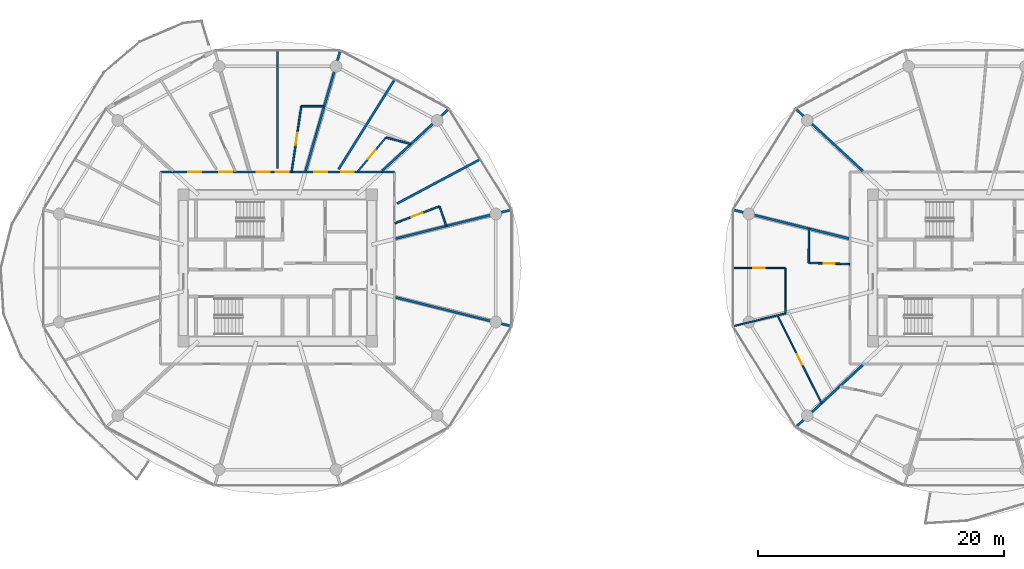
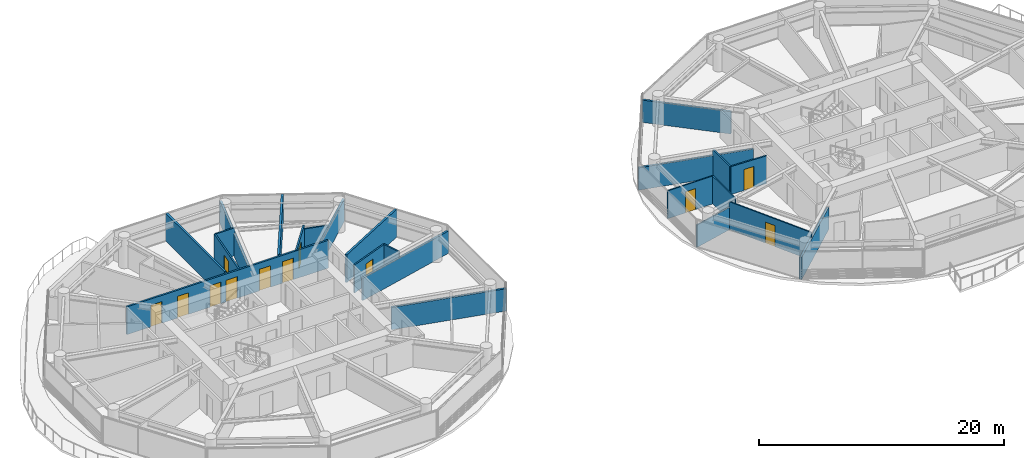
# One storey, part 17 of 27: 23 walls, 12 doors, 12 openings.
"""IFC4 building model written with IfcOpenShell, lengths in metres."""

from ifc_helpers import new_model, si_unit, direction, frame, frame_2d, origin, place, context, subcontext, project, spatial, rectangle, extrude, source, transform, mapped, material, layer, layer_set, type_object, type_shapes, element, fill, save


model = new_model("IFC4")

# Units and contexts
model_context = context("Model", 3, precision=1e-05, world=origin(), true_north=direction((0.0, 1.0)))
body_context = subcontext(model_context, "Body", "Model", "MODEL_VIEW")
ifc_project = project(units=[si_unit("LENGTHUNIT", "METRE"), si_unit("AREAUNIT", "SQUARE_METRE"), si_unit("VOLUMEUNIT", "CUBIC_METRE"), si_unit("PLANEANGLEUNIT", "RADIAN"), si_unit("MASSUNIT", "GRAM", prefix="KILO")], contexts=[model_context])

# Site, building, storey
site_placement = place(None, origin())
site = spatial("IfcSite", under=ifc_project, at=site_placement, CompositionType="ELEMENT")
building_placement = place(site_placement, origin())
building = spatial("IfcBuilding", under=site, at=building_placement, Name="Norrkilde Senior Care Towers", CompositionType="ELEMENT")
storey_placement = place(building_placement, frame((0.0, 0.0, 33.800048828125)))
storey = spatial("IfcBuildingStorey", under=building, at=storey_placement, Name="L09", CompositionType="ELEMENT", Elevation=33.800048828125)

# Wall, openings, doors
ifc_material_1 = material(Name="Gypsum Acoustic Board")
ifc_layer_1 = layer(ifc_material_1, 0.1650390625)
ifc_layer_set_1 = layer_set([ifc_layer_1], Name="Gypsum Acoustic Board")
wall_type_1 = type_object("IfcWallType", Name="Corridor Rated Partition 165", PredefinedType="PARTITIONING", material=ifc_layer_set_1)
shared_shape_1 = source(origin(), body_context, "Body", "SweptSolid", [
    extrude(rectangle(XDim=19.0, YDim=0.1650390625, at=frame_2d((9.5, 0.0))), origin(), (0.0, 0.0, 1.0), 2.77490234375),
])
type_shapes(wall_type_1, [shared_shape_1])
wall_1_placement = place(storey_placement, frame((-37.5, 7.800048828125, 0.0), z_axis=(0.0, 0.0, 1.0), x_axis=(1.0, 0.0, 0.0)))
wall_1 = element("IfcWall", 1, at=wall_1_placement, inside=storey, type_object=wall_type_1, Name="WL-INT-L09-W-CRW-N-0", PredefinedType="PARTITIONING", context=body_context, shape_type="MappedRepresentation", body=[
    mapped(shared_shape_1, transform((0.0, 0.0, 0.0), x_axis=(1.0, 0.0, 0.0), y_axis=(0.0, 1.0, 0.0), z_axis=(0.0, 0.0, 1.0), scale=1.0)),
])
opening_1_placement = place(wall_1_placement, frame((9.351806640625, 0.0, 0.0)))
opening_1 = element("IfcOpeningElement", 2, at=opening_1_placement, cuts=wall_1, Name="Opening D-06", PredefinedType="OPENING", context=body_context, shape_type="SweptSolid", body=[
    extrude(rectangle(XDim=1.050048828125, YDim=2.14990234375, at=frame_2d((0.52490234375, 1.074951171875))), frame((0.0, 0.092529296875, 0.0), z_axis=(0.0, -1.0, 0.0), x_axis=(1.0, 0.0, 0.0)), (0.0, 0.0, 1.0), 0.18505859375),
])
opening_2_placement = place(wall_1_placement, frame((7.806396484375, 0.0, 0.0)))
opening_2 = element("IfcOpeningElement", 3, at=opening_2_placement, cuts=wall_1, Name="Opening D-06", PredefinedType="OPENING", context=body_context, shape_type="SweptSolid", body=[
    extrude(rectangle(XDim=1.050048828125, YDim=2.14990234375, at=frame_2d((0.52490234375, 1.074951171875))), frame((0.0, 0.092529296875, 0.0), z_axis=(0.0, -1.0, 0.0), x_axis=(1.0, 0.0, 0.0)), (0.0, 0.0, 1.0), 0.18505859375),
])
opening_3_placement = place(wall_1_placement, frame((4.77294921875, 0.0, 0.0)))
opening_3 = element("IfcOpeningElement", 4, at=opening_3_placement, cuts=wall_1, Name="Opening D-06", PredefinedType="OPENING", context=body_context, shape_type="SweptSolid", body=[
    extrude(rectangle(XDim=1.050048828125, YDim=2.14990234375, at=frame_2d((0.52490234375, 1.074951171875))), frame((0.0, 0.092529296875, 0.0), z_axis=(0.0, -1.0, 0.0), x_axis=(1.0, 0.0, 0.0)), (0.0, 0.0, 1.0), 0.18505859375),
])
opening_4_placement = place(wall_1_placement, frame((2.251220703125, 0.0, 0.0)))
opening_4 = element("IfcOpeningElement", 5, at=opening_4_placement, cuts=wall_1, Name="Opening D-06", PredefinedType="OPENING", context=body_context, shape_type="SweptSolid", body=[
    extrude(rectangle(XDim=1.050048828125, YDim=2.14990234375, at=frame_2d((0.52490234375, 1.074951171875))), frame((0.0, 0.092529296875, 0.0), z_axis=(0.0, -1.0, 0.0), x_axis=(1.0, 0.0, 0.0)), (0.0, 0.0, 1.0), 0.18505859375),
])
opening_5_placement = place(wall_1_placement, frame((14.6533203125, 0.0, 0.0)))
opening_5 = element("IfcOpeningElement", 6, at=opening_5_placement, cuts=wall_1, Name="Opening D-06", PredefinedType="OPENING", context=body_context, shape_type="SweptSolid", body=[
    extrude(rectangle(XDim=1.050048828125, YDim=2.14990234375, at=frame_2d((0.52490234375, 1.074951171875))), frame((0.0, 0.092529296875, 0.0), z_axis=(0.0, -1.0, 0.0), x_axis=(1.0, 0.0, 0.0)), (0.0, 0.0, 1.0), 0.18505859375),
])
opening_6_placement = place(wall_1_placement, frame((12.499755859375, 0.0, 0.0)))
opening_6 = element("IfcOpeningElement", 7, at=opening_6_placement, cuts=wall_1, Name="Opening D-06", PredefinedType="OPENING", context=body_context, shape_type="SweptSolid", body=[
    extrude(rectangle(XDim=1.050048828125, YDim=2.14990234375, at=frame_2d((0.52490234375, 1.074951171875))), frame((0.0, 0.092529296875, 0.0), z_axis=(0.0, -1.0, 0.0), x_axis=(1.0, 0.0, 0.0)), (0.0, 0.0, 1.0), 0.18505859375),
])
ifc_material_2 = material(Name="Nordic Ash Timber", Category="wood")
door_type_1 = type_object("IfcDoorType", Name="Apartment Entrance Fire Door 1050x2150", OperationType="NOTDEFINED", PredefinedType="DOOR", material=ifc_material_2)
shared_shape_2 = source(origin(), body_context, "Body", "SweptSolid", [
    extrude(rectangle(XDim=1.050048828125, YDim=2.14990234375, at=frame_2d((0.52490234375, 1.074951171875))), frame((0.0, 0.02490234375, 0.0), z_axis=(0.0, -1.0, 0.0), x_axis=(1.0, 0.0, 0.0)), (0.0, 0.0, 1.0), 0.050048828125),
])
type_shapes(door_type_1, [shared_shape_2])
door_1_placement = place(opening_1_placement, frame((1.050048828125, 0.0, 0.0), z_axis=(0.0, 0.0, 1.0), x_axis=(-1.0, 0.0, 0.0)))
door_1 = element("IfcDoor", 8, at=door_1_placement, inside=storey, type_object=door_type_1, Name="L09 Care Suite 0902A Entrance Door", OperationType="SINGLE_SWING_LEFT", OverallHeight=2.14990234375, OverallWidth=1.050048828125, PredefinedType="DOOR", context=body_context, shape_type="MappedRepresentation", body=[
    mapped(shared_shape_2, transform((0.0, 0.0, 0.0), x_axis=(1.0, 0.0, 0.0), y_axis=(0.0, 1.0, 0.0), z_axis=(0.0, 0.0, 1.0), scale=1.0)),
])
fill(opening_1, door_1)
door_2_placement = place(opening_2_placement, frame((1.050048828125, 0.0, 0.0), z_axis=(0.0, 0.0, 1.0), x_axis=(-1.0, 0.0, 0.0)))
door_2 = element("IfcDoor", 9, at=door_2_placement, inside=storey, type_object=door_type_1, Name="L09 Therapy Day Lounge 02 Door", OperationType="SINGLE_SWING_RIGHT", OverallHeight=2.14990234375, OverallWidth=1.050048828125, PredefinedType="DOOR", context=body_context, shape_type="MappedRepresentation", body=[
    mapped(shared_shape_2, transform((0.0, 0.0, 0.0), x_axis=(1.0, 0.0, 0.0), y_axis=(0.0, 1.0, 0.0), z_axis=(0.0, 0.0, 1.0), scale=1.0)),
])
fill(opening_2, door_2)
door_3_placement = place(opening_3_placement, frame((1.050048828125, 0.0, 0.0), z_axis=(0.0, 0.0, 1.0), x_axis=(-1.0, 0.0, 0.0)))
door_3 = element("IfcDoor", 10, at=door_3_placement, inside=storey, type_object=door_type_1, Name="L09 Care Suite 0903A Entrance Door", OperationType="SINGLE_SWING_RIGHT", OverallHeight=2.14990234375, OverallWidth=1.050048828125, PredefinedType="DOOR", context=body_context, shape_type="MappedRepresentation", body=[
    mapped(shared_shape_2, transform((0.0, 0.0, 0.0), x_axis=(1.0, 0.0, 0.0), y_axis=(0.0, 1.0, 0.0), z_axis=(0.0, 0.0, 1.0), scale=1.0)),
])
fill(opening_3, door_3)
door_4_placement = place(opening_4_placement, frame((1.050048828125, 0.0, 0.0), z_axis=(0.0, 0.0, 1.0), x_axis=(-1.0, 0.0, 0.0)))
door_4 = element("IfcDoor", 11, at=door_4_placement, inside=storey, type_object=door_type_1, Name="L09 Therapy Day Lounge 03 Door", OperationType="SINGLE_SWING_LEFT", OverallHeight=2.14990234375, OverallWidth=1.050048828125, PredefinedType="DOOR", context=body_context, shape_type="MappedRepresentation", body=[
    mapped(shared_shape_2, transform((0.0, 0.0, 0.0), x_axis=(1.0, 0.0, 0.0), y_axis=(0.0, 1.0, 0.0), z_axis=(0.0, 0.0, 1.0), scale=1.0)),
])
fill(opening_4, door_4)
door_5_placement = place(opening_5_placement, frame((1.050048828125, 0.0, 0.0), z_axis=(0.0, 0.0, 1.0), x_axis=(-1.0, 0.0, 0.0)))
door_5 = element("IfcDoor", 12, at=door_5_placement, inside=storey, type_object=door_type_1, Name="L09 Care Suite 0901A Entrance Door", OperationType="SINGLE_SWING_RIGHT", OverallHeight=2.14990234375, OverallWidth=1.050048828125, PredefinedType="DOOR", context=body_context, shape_type="MappedRepresentation", body=[
    mapped(shared_shape_2, transform((0.0, 0.0, 0.0), x_axis=(1.0, 0.0, 0.0), y_axis=(0.0, 1.0, 0.0), z_axis=(0.0, 0.0, 1.0), scale=1.0)),
])
fill(opening_5, door_5)
door_6_placement = place(opening_6_placement, frame((1.050048828125, 0.0, 0.0), z_axis=(0.0, 0.0, 1.0), x_axis=(-1.0, 0.0, 0.0)))
door_6 = element("IfcDoor", 13, at=door_6_placement, inside=storey, type_object=door_type_1, Name="L09 Therapy Day Lounge 01 Door", OperationType="SINGLE_SWING_LEFT", OverallHeight=2.14990234375, OverallWidth=1.050048828125, PredefinedType="DOOR", context=body_context, shape_type="MappedRepresentation", body=[
    mapped(shared_shape_2, transform((0.0, 0.0, 0.0), x_axis=(1.0, 0.0, 0.0), y_axis=(0.0, 1.0, 0.0), z_axis=(0.0, 0.0, 1.0), scale=1.0)),
])
fill(opening_6, door_6)

# Walls
ifc_layer_2 = layer(ifc_material_1, 0.18994140625)
ifc_layer_set_2 = layer_set([ifc_layer_2], Name="Gypsum Acoustic Board")
wall_type_2 = type_object("IfcWallType", Name="Unit Demising Acoustic Wall 190", PredefinedType="PARTITIONING", material=ifc_layer_set_2)
shared_shape_3 = source(origin(), body_context, "Body", "SweptSolid", [
    extrude(rectangle(XDim=7.4345703125, YDim=0.18994140625, at=frame_2d((3.71728515625, 0.0))), origin(), (0.0, 0.0, 1.0), 2.224853515625),
])
for number, where, z_axis, x_axis, name in (
    (14, (-19.51708984375, 7.8798828125, 0.0), (0.0, 0.0, 1.0), (0.732651956848, 0.680603489652, 0.0), "WL-INT-L09-W-DEM-01-0"),
    (15, (19.51708984375, 7.8798828125, 0.0), (0.0, 0.0, 1.0), (-0.732651956848, 0.680603489652, 0.0), "WL-INT-L09-E-DEM-04-0"),
    (16, (19.51708984375, -7.8798828125, 0.0), (0.0, 0.0, 1.0), (-0.732651956848, -0.680603489652, 0.0), "WL-INT-L09-E-DEM-07-0"),
):
    element("IfcWall", number, at=place(storey_placement, frame(where, z_axis=z_axis, x_axis=x_axis)), inside=storey, type_object=wall_type_2, Name=name, PredefinedType="PARTITIONING", context=body_context, shape_type="MappedRepresentation", body=[
        mapped(shared_shape_3, transform((0.0, 0.0, 0.0), x_axis=(1.0, 0.0, 0.0), y_axis=(0.0, 1.0, 0.0), z_axis=(0.0, 0.0, 1.0), scale=1.0)),
    ])
shared_shape_4 = source(origin(), body_context, "Body", "SweptSolid", [
    extrude(rectangle(XDim=10.196044921875, YDim=0.18994140625, at=frame_2d((5.09814453125, 0.0))), origin(), (0.0, 0.0, 1.0), 2.224853515625),
])
wall_2_placement = place(storey_placement, frame((-25.72705078125, 7.8798828125, 0.0), z_axis=(0.0, 0.0, 1.0), x_axis=(0.277136420347, 0.960830580549, 0.0)))
element("IfcWall", 17, at=wall_2_placement, inside=storey, type_object=wall_type_2, Name="WL-INT-L09-W-DEM-02-0", PredefinedType="PARTITIONING", context=body_context, shape_type="MappedRepresentation", body=[
    mapped(shared_shape_4, transform((0.0, 0.0, 0.0), x_axis=(1.0, 0.0, 0.0), y_axis=(0.0, 1.0, 0.0), z_axis=(0.0, 0.0, 1.0), scale=1.0)),
])
shared_shape_5 = source(origin(), body_context, "Body", "SweptSolid", [
    extrude(rectangle(XDim=8.59814453125, YDim=0.18994140625, at=frame_2d((4.299072265625, 0.0))), origin(), (0.0, 0.0, 1.0), 2.77490234375),
])
wall_3_placement = place(storey_placement, frame((-23.04296875, 8.017333984375, 0.0), z_axis=(0.0, 0.0, 1.0), x_axis=(0.530039776395, 0.847972779893, 0.0)))
element("IfcWall", 18, at=wall_3_placement, inside=storey, type_object=wall_type_2, Name="WL-INT-L09-W-CMID-01", PredefinedType="PARTITIONING", context=body_context, shape_type="MappedRepresentation", body=[
    mapped(shared_shape_5, transform((0.0, 0.0, 0.0), x_axis=(1.0, 0.0, 0.0), y_axis=(0.0, 1.0, 0.0), z_axis=(0.0, 0.0, 1.0), scale=1.0)),
])

# Wall, opening, door
ifc_layer_3 = layer(ifc_material_1, 0.139892578125)
ifc_layer_set_3 = layer_set([ifc_layer_3], Name="Gypsum Acoustic Board")
wall_type_3 = type_object("IfcWallType", Name="En-suite Wet Room Wall 140", PredefinedType="PARTITIONING", material=ifc_layer_set_3)
shared_shape_6 = source(origin(), body_context, "Body", "SweptSolid", [
    extrude(rectangle(XDim=3.594482421875, YDim=0.139892578125, at=frame_2d((1.79736328125, 0.0))), origin(), (0.0, 0.0, 1.0), 2.77490234375),
])
wall_4_placement = place(storey_placement, frame((-21.49560546875, 7.830078125, 0.0), z_axis=(0.0, 0.0, 1.0), x_axis=(0.639001147083, 0.769205781326, 0.0)))
wall_4 = element("IfcWall", 19, at=wall_4_placement, inside=storey, type_object=wall_type_3, Name="WL-INT-L09-W-ES-01A", PredefinedType="PARTITIONING", context=body_context, shape_type="MappedRepresentation", body=[
    mapped(shared_shape_6, transform((0.0, 0.0, 0.0), x_axis=(1.0, 0.0, 0.0), y_axis=(0.0, 1.0, 0.0), z_axis=(0.0, 0.0, 1.0), scale=1.0)),
])
opening_7_placement = place(wall_4_placement, frame((1.33740234375, 0.0, 0.0)))
opening_7 = element("IfcOpeningElement", 20, at=opening_7_placement, cuts=wall_4, Name="Opening D-08", PredefinedType="OPENING", context=body_context, shape_type="SweptSolid", body=[
    extrude(rectangle(XDim=0.919921875, YDim=2.10009765625, at=frame_2d((0.4599609375, 1.050048828125))), frame((0.0, 0.079833984375, 0.0), z_axis=(0.0, -1.0, 0.0), x_axis=(1.0, 0.0, 0.0)), (0.0, 0.0, 1.0), 0.159912109375),
])
door_type_2 = type_object("IfcDoorType", Name="Accessible Wet Room Door 920x2100", OperationType="NOTDEFINED", PredefinedType="DOOR", material=ifc_material_2)
shared_shape_7 = source(origin(), body_context, "Body", "SweptSolid", [
    extrude(rectangle(XDim=0.919921875, YDim=2.10009765625, at=frame_2d((0.4599609375, 1.050048828125))), frame((0.0, 0.02490234375, 0.0), z_axis=(0.0, -1.0, 0.0), x_axis=(1.0, 0.0, 0.0)), (0.0, 0.0, 1.0), 0.050048828125),
])
type_shapes(door_type_2, [shared_shape_7])
door_7_placement = place(opening_7_placement, origin())
door_7 = element("IfcDoor", 21, at=door_7_placement, inside=storey, type_object=door_type_2, Name="L09 Care Suite 0901A Bathroom Door", OperationType="SINGLE_SWING_LEFT", OverallHeight=2.10009765625, OverallWidth=0.919921875, PredefinedType="DOOR", context=body_context, shape_type="MappedRepresentation", body=[
    mapped(shared_shape_7, transform((0.0, 0.0, 0.0), x_axis=(1.0, 0.0, 0.0), y_axis=(0.0, 1.0, 0.0), z_axis=(0.0, 0.0, 1.0), scale=1.0)),
])
fill(opening_7, door_7)

# Walls
shared_shape_8 = source(origin(), body_context, "Body", "SweptSolid", [
    extrude(rectangle(XDim=9.737060546875, YDim=0.18994140625, at=frame_2d((4.86865234375, 0.0))), origin(), (0.0, 0.0, 1.0), 2.224853515625),
])
for number, where, z_axis, x_axis, name in (
    (22, (-18.419921875, -2.384521484375, 0.0), (0.0, 0.0, 1.0), (0.970392716238, -0.241532557375, 0.0), "WL-INT-L09-W-DEM-11-0"),
    (23, (-18.419921875, 2.384521484375, 0.0), (0.0, 0.0, 1.0), (0.970392716238, 0.241532557375, 0.0), "WL-INT-L09-W-DEM-00-0"),
    (24, (18.419921875, 2.384521484375, 0.0), (0.0, 0.0, 1.0), (-0.970392716238, 0.241532557375, 0.0), "WL-INT-L09-E-DEM-05-0"),
):
    element("IfcWall", number, at=place(storey_placement, frame(where, z_axis=z_axis, x_axis=x_axis)), inside=storey, type_object=wall_type_2, Name=name, PredefinedType="PARTITIONING", context=body_context, shape_type="MappedRepresentation", body=[
        mapped(shared_shape_8, transform((0.0, 0.0, 0.0), x_axis=(1.0, 0.0, 0.0), y_axis=(0.0, 1.0, 0.0), z_axis=(0.0, 0.0, 1.0), scale=1.0)),
    ])
shared_shape_9 = source(origin(), body_context, "Body", "SweptSolid", [
    extrude(rectangle(XDim=7.6767578125, YDim=0.18994140625, at=frame_2d((3.83837890625, 0.0))), origin(), (0.0, 0.0, 1.0), 2.77490234375),
])
wall_5_placement = place(storey_placement, frame((-18.296875, 5.23095703125, 0.0), z_axis=(0.0, 0.0, 1.0), x_axis=(0.882725057546, 0.469889851753, 0.0)))
element("IfcWall", 25, at=wall_5_placement, inside=storey, type_object=wall_type_2, Name="WL-INT-L09-W-CMID-00", PredefinedType="PARTITIONING", context=body_context, shape_type="MappedRepresentation", body=[
    mapped(shared_shape_9, transform((0.0, 0.0, 0.0), x_axis=(1.0, 0.0, 0.0), y_axis=(0.0, 1.0, 0.0), z_axis=(0.0, 0.0, 1.0), scale=1.0)),
])

# Wall, opening, door
shared_shape_10 = source(origin(), body_context, "Body", "SweptSolid", [
    extrude(rectangle(XDim=3.8740234375, YDim=0.139892578125, at=frame_2d((1.93701171875, 0.0))), origin(), (0.0, 0.0, 1.0), 2.77490234375),
])
wall_6_placement = place(storey_placement, frame((-18.469970703125, 3.631591796875, 0.0), z_axis=(0.0, 0.0, 1.0), x_axis=(0.934461775659, 0.35606346321, 0.0)))
wall_6 = element("IfcWall", 26, at=wall_6_placement, inside=storey, type_object=wall_type_3, Name="WL-INT-L09-W-ES-00A", PredefinedType="PARTITIONING", context=body_context, shape_type="MappedRepresentation", body=[
    mapped(shared_shape_10, transform((0.0, 0.0, 0.0), x_axis=(1.0, 0.0, 0.0), y_axis=(0.0, 1.0, 0.0), z_axis=(0.0, 0.0, 1.0), scale=1.0)),
])
opening_8_placement = place(wall_6_placement, frame((1.47705078125, 0.0, 0.0)))
opening_8 = element("IfcOpeningElement", 27, at=opening_8_placement, cuts=wall_6, Name="Opening D-08", PredefinedType="OPENING", context=body_context, shape_type="SweptSolid", body=[
    extrude(rectangle(XDim=0.919921875, YDim=2.10009765625, at=frame_2d((0.4599609375, 1.050048828125))), frame((0.0, 0.079833984375, 0.0), z_axis=(0.0, -1.0, 0.0), x_axis=(1.0, 0.0, 0.0)), (0.0, 0.0, 1.0), 0.159912109375),
])
door_8_placement = place(opening_8_placement, origin())
door_8 = element("IfcDoor", 28, at=door_8_placement, inside=storey, type_object=door_type_2, Name="L09 Care Suite 0900A Bathroom Door", OperationType="SINGLE_SWING_RIGHT", OverallHeight=2.10009765625, OverallWidth=0.919921875, PredefinedType="DOOR", context=body_context, shape_type="MappedRepresentation", body=[
    mapped(shared_shape_7, transform((0.0, 0.0, 0.0), x_axis=(1.0, 0.0, 0.0), y_axis=(0.0, 1.0, 0.0), z_axis=(0.0, 0.0, 1.0), scale=1.0)),
])
fill(opening_8, door_8)

# Wall
shared_shape_11 = source(origin(), body_context, "Body", "SweptSolid", [
    extrude(rectangle(XDim=1.67578125, YDim=0.139892578125, at=frame_2d((0.837890625, 0.0))), origin(), (0.0, 0.0, 1.0), 2.77490234375),
])
wall_7_placement = place(storey_placement, frame((-14.849853515625, 5.010986328125, 0.0), z_axis=(0.0, 0.0, 1.0), x_axis=(0.327785970556, -0.944752008469, 0.0)))
element("IfcWall", 29, at=wall_7_placement, inside=storey, type_object=wall_type_3, Name="WL-INT-L09-W-EF-00A", PredefinedType="PARTITIONING", context=body_context, shape_type="MappedRepresentation", body=[
    mapped(shared_shape_11, transform((0.0, 0.0, 0.0), x_axis=(1.0, 0.0, 0.0), y_axis=(0.0, 1.0, 0.0), z_axis=(0.0, 0.0, 1.0), scale=1.0)),
])

# Wall, opening, door
ifc_layer_4 = layer(ifc_material_1, 0.114990234375)
ifc_layer_set_4 = layer_set([ifc_layer_4], Name="Gypsum Acoustic Board")
wall_type_4 = type_object("IfcWallType", Name="Internal Room Partition 115", PredefinedType="PARTITIONING", material=ifc_layer_set_4)
shared_shape_12 = source(origin(), body_context, "Body", "SweptSolid", [
    extrude(rectangle(XDim=8.017822265625, YDim=0.114990234375, at=frame_2d((4.0087890625, 0.0))), origin(), (0.0, 0.0, 1.0), 2.77490234375),
])
wall_8_placement = place(storey_placement, frame((12.595947265625, -3.854248046875, 0.0), z_axis=(0.0, 0.0, 1.0), x_axis=(0.450134355233, -0.89296084026, 0.0)))
wall_8 = element("IfcWall", 30, at=wall_8_placement, inside=storey, type_object=wall_type_4, Name="WL-INT-L09-E-UBC-05-1", PredefinedType="PARTITIONING", context=body_context, shape_type="MappedRepresentation", body=[
    mapped(shared_shape_12, transform((0.0, 0.0, 0.0), x_axis=(1.0, 0.0, 0.0), y_axis=(0.0, 1.0, 0.0), z_axis=(0.0, 0.0, 1.0), scale=1.0)),
])
opening_9_placement = place(wall_8_placement, frame((3.533935546875, 0.0, 0.0)))
opening_9 = element("IfcOpeningElement", 31, at=opening_9_placement, cuts=wall_8, Name="Opening D-07", PredefinedType="OPENING", context=body_context, shape_type="SweptSolid", body=[
    extrude(rectangle(XDim=0.949951171875, YDim=2.10009765625, at=frame_2d((0.47509765625, 1.050048828125))), frame((0.0, 0.0673828125, 0.0), z_axis=(0.0, -1.0, 0.0), x_axis=(1.0, 0.0, 0.0)), (0.0, 0.0, 1.0), 0.135009765625),
])
door_type_3 = type_object("IfcDoorType", Name="Internal Suite Bedroom Door 950x2100", OperationType="NOTDEFINED", PredefinedType="DOOR", material=ifc_material_2)
shared_shape_13 = source(origin(), body_context, "Body", "SweptSolid", [
    extrude(rectangle(XDim=0.949951171875, YDim=2.10009765625, at=frame_2d((0.47509765625, 1.050048828125))), frame((0.0, 0.02490234375, 0.0), z_axis=(0.0, -1.0, 0.0), x_axis=(1.0, 0.0, 0.0)), (0.0, 0.0, 1.0), 0.050048828125),
])
type_shapes(door_type_3, [shared_shape_13])
door_9_placement = place(opening_9_placement, origin())
door_9 = element("IfcDoor", 32, at=door_9_placement, inside=storey, type_object=door_type_3, Name="Apartment 09D Bedroom 1 Door", OperationType="SINGLE_SWING_LEFT", OverallHeight=2.10009765625, OverallWidth=0.949951171875, PredefinedType="DOOR", context=body_context, shape_type="MappedRepresentation", body=[
    mapped(shared_shape_13, transform((0.0, 0.0, 0.0), x_axis=(1.0, 0.0, 0.0), y_axis=(0.0, 1.0, 0.0), z_axis=(0.0, 0.0, 1.0), scale=1.0)),
])
fill(opening_9, door_9)

shared_shape_14 = source(origin(), body_context, "Body", "SweptSolid", [
    extrude(rectangle(XDim=3.323486328125, YDim=0.139892578125, at=frame_2d((1.66162109375, 0.0))), origin(), (0.0, 0.0, 1.0), 2.77490234375),
])
wall_9_placement = place(storey_placement, frame((18.469970703125, 0.310791015625, 0.0), z_axis=(0.0, 0.0, 1.0), x_axis=(-0.999467979553, 0.032615300817, 0.0)))
wall_9 = element("IfcWall", 33, at=wall_9_placement, inside=storey, type_object=wall_type_3, Name="WL-INT-L09-E-UBTS-05", PredefinedType="PARTITIONING", context=body_context, shape_type="MappedRepresentation", body=[
    mapped(shared_shape_14, transform((0.0, 0.0, 0.0), x_axis=(1.0, 0.0, 0.0), y_axis=(0.0, 1.0, 0.0), z_axis=(0.0, 0.0, 1.0), scale=1.0)),
])
opening_10_placement = place(wall_9_placement, frame((1.201904296875, 0.0, 0.0)))
opening_10 = element("IfcOpeningElement", 34, at=opening_10_placement, cuts=wall_9, Name="Opening D-08", PredefinedType="OPENING", context=body_context, shape_type="SweptSolid", body=[
    extrude(rectangle(XDim=0.919921875, YDim=2.10009765625, at=frame_2d((0.4599609375, 1.050048828125))), frame((0.0, 0.079833984375, 0.0), z_axis=(0.0, -1.0, 0.0), x_axis=(1.0, 0.0, 0.0)), (0.0, 0.0, 1.0), 0.159912109375),
])
door_10_placement = place(opening_10_placement, origin())
door_10 = element("IfcDoor", 35, at=door_10_placement, inside=storey, type_object=door_type_2, Name="Apartment 09D Bathroom Door", OperationType="SINGLE_SWING_LEFT", OverallHeight=2.10009765625, OverallWidth=0.919921875, PredefinedType="DOOR", context=body_context, shape_type="MappedRepresentation", body=[
    mapped(shared_shape_7, transform((0.0, 0.0, 0.0), x_axis=(1.0, 0.0, 0.0), y_axis=(0.0, 1.0, 0.0), z_axis=(0.0, 0.0, 1.0), scale=1.0)),
])
fill(opening_10, door_10)

# Walls
shared_shape_15 = source(origin(), body_context, "Body", "SweptSolid", [
    extrude(rectangle(XDim=2.795166015625, YDim=0.139892578125, at=frame_2d((1.3974609375, 0.0))), origin(), (0.0, 0.0, 1.0), 2.77490234375),
])
wall_10_placement = place(storey_placement, frame((15.148193359375, 0.419189453125, 0.0), z_axis=(0.0, 0.0, 1.0), x_axis=(0.001659531299, 0.999998622977, 0.0)))
element("IfcWall", 36, at=wall_10_placement, inside=storey, type_object=wall_type_3, Name="WL-INT-L09-E-UBTF-05", PredefinedType="PARTITIONING", context=body_context, shape_type="MappedRepresentation", body=[
    mapped(shared_shape_15, transform((0.0, 0.0, 0.0), x_axis=(1.0, 0.0, 0.0), y_axis=(0.0, 1.0, 0.0), z_axis=(0.0, 0.0, 1.0), scale=1.0)),
])
shared_shape_16 = source(origin(), body_context, "Body", "SweptSolid", [
    extrude(rectangle(XDim=2.06201171875, YDim=0.139892578125, at=frame_2d((1.031005859375, 0.0))), origin(), (0.0, 0.0, 1.0), 2.4150390625),
])
wall_11_placement = place(storey_placement, frame((-19.19873046875, 10.594970703125, 0.0), z_axis=(0.0, 0.0, 1.0), x_axis=(0.968776253543, -0.247936626121, 0.0)))
element("IfcWall", 37, at=wall_11_placement, inside=storey, type_object=wall_type_3, Name="WL-INT-L09-W-EF-01A", PredefinedType="PARTITIONING", context=body_context, shape_type="MappedRepresentation", body=[
    mapped(shared_shape_16, transform((0.0, 0.0, 0.0), x_axis=(1.0, 0.0, 0.0), y_axis=(0.0, 1.0, 0.0), z_axis=(0.0, 0.0, 1.0), scale=1.0)),
])
shared_shape_17 = source(origin(), body_context, "Body", "SweptSolid", [
    extrude(rectangle(XDim=9.6005859375, YDim=0.18994140625, at=frame_2d((4.80029296875, 0.0))), origin(), (0.0, 0.0, 1.0), 2.77490234375),
])
type_shapes(wall_type_2, [shared_shape_3, shared_shape_4, shared_shape_5, shared_shape_8, shared_shape_9, shared_shape_17])
wall_12_placement = place(storey_placement, frame((-28.0, 8.075927734375, 0.0), z_axis=(0.0, 0.0, 1.0), x_axis=(0.0, 1.0, 0.0)))
element("IfcWall", 38, at=wall_12_placement, inside=storey, type_object=wall_type_2, Name="WL-INT-L09-W-CMID-02", PredefinedType="PARTITIONING", context=body_context, shape_type="MappedRepresentation", body=[
    mapped(shared_shape_17, transform((0.0, 0.0, 0.0), x_axis=(1.0, 0.0, 0.0), y_axis=(0.0, 1.0, 0.0), z_axis=(0.0, 0.0, 1.0), scale=1.0)),
])

# Wall, opening, door
shared_shape_18 = source(origin(), body_context, "Body", "SweptSolid", [
    extrude(rectangle(XDim=5.36962890625, YDim=0.139892578125, at=frame_2d((2.684814453125, 0.0))), origin(), (0.0, 0.0, 1.0), 2.77490234375),
])
wall_13_placement = place(storey_placement, frame((-26.851318359375, 7.830078125, 0.0), z_axis=(0.0, 0.0, 1.0), x_axis=(0.145131397853, 0.989412389935, 0.0)))
wall_13 = element("IfcWall", 39, at=wall_13_placement, inside=storey, type_object=wall_type_3, Name="WL-INT-L09-W-ES-02A", PredefinedType="PARTITIONING", context=body_context, shape_type="MappedRepresentation", body=[
    mapped(shared_shape_18, transform((0.0, 0.0, 0.0), x_axis=(1.0, 0.0, 0.0), y_axis=(0.0, 1.0, 0.0), z_axis=(0.0, 0.0, 1.0), scale=1.0)),
])
opening_11_placement = place(wall_13_placement, frame((2.224853515625, 0.0, 0.0)))
opening_11 = element("IfcOpeningElement", 40, at=opening_11_placement, cuts=wall_13, Name="Opening D-08", PredefinedType="OPENING", context=body_context, shape_type="SweptSolid", body=[
    extrude(rectangle(XDim=0.919921875, YDim=2.10009765625, at=frame_2d((0.4599609375, 1.050048828125))), frame((0.0, 0.079833984375, 0.0), z_axis=(0.0, -1.0, 0.0), x_axis=(1.0, 0.0, 0.0)), (0.0, 0.0, 1.0), 0.159912109375),
])
door_11_placement = place(opening_11_placement, origin())
door_11 = element("IfcDoor", 41, at=door_11_placement, inside=storey, type_object=door_type_2, Name="L09 Care Suite 0902A Bathroom Door", OperationType="SINGLE_SWING_RIGHT", OverallHeight=2.10009765625, OverallWidth=0.919921875, PredefinedType="DOOR", context=body_context, shape_type="MappedRepresentation", body=[
    mapped(shared_shape_7, transform((0.0, 0.0, 0.0), x_axis=(1.0, 0.0, 0.0), y_axis=(0.0, 1.0, 0.0), z_axis=(0.0, 0.0, 1.0), scale=1.0)),
])
fill(opening_11, door_11)

# Wall
shared_shape_19 = source(origin(), body_context, "Body", "SweptSolid", [
    extrude(rectangle(XDim=1.842529296875, YDim=0.139892578125, at=frame_2d((0.92138671875, 0.0))), origin(), (0.0, 0.0, 1.0), 2.77490234375),
])
type_shapes(wall_type_3, [shared_shape_6, shared_shape_10, shared_shape_11, shared_shape_14, shared_shape_15, shared_shape_16, shared_shape_18, shared_shape_19])
wall_14_placement = place(storey_placement, frame((-26.072021484375, 13.142822265625, 0.0), z_axis=(0.0, 0.0, 1.0), x_axis=(0.999998937801, -0.001457531246, 0.0)))
element("IfcWall", 42, at=wall_14_placement, inside=storey, type_object=wall_type_3, Name="WL-INT-L09-W-EF-02A", PredefinedType="PARTITIONING", context=body_context, shape_type="MappedRepresentation", body=[
    mapped(shared_shape_19, transform((0.0, 0.0, 0.0), x_axis=(1.0, 0.0, 0.0), y_axis=(0.0, 1.0, 0.0), z_axis=(0.0, 0.0, 1.0), scale=1.0)),
])

# Wall, opening, door
shared_shape_20 = source(origin(), body_context, "Body", "SweptSolid", [
    extrude(rectangle(XDim=4.27880859375, YDim=0.114990234375, at=frame_2d((2.139404296875, 0.0))), origin(), (0.0, 0.0, 1.0), 2.77490234375),
])
wall_15_placement = place(storey_placement, frame((13.25, 0.0, 0.0), z_axis=(0.0, 0.0, 1.0), x_axis=(-1.0, 0.0, 0.0)))
wall_15 = element("IfcWall", 43, at=wall_15_placement, inside=storey, type_object=wall_type_4, Name="WL-INT-L09-E-UKTS-05", PredefinedType="PARTITIONING", context=body_context, shape_type="MappedRepresentation", body=[
    mapped(shared_shape_20, transform((0.0, 0.0, 0.0), x_axis=(1.0, 0.0, 0.0), y_axis=(0.0, 1.0, 0.0), z_axis=(0.0, 0.0, 1.0), scale=1.0)),
])
opening_12_placement = place(wall_15_placement, frame((1.664306640625, 0.0, 0.0)))
opening_12 = element("IfcOpeningElement", 44, at=opening_12_placement, cuts=wall_15, Name="Opening D-07", PredefinedType="OPENING", context=body_context, shape_type="SweptSolid", body=[
    extrude(rectangle(XDim=0.949951171875, YDim=2.10009765625, at=frame_2d((0.47509765625, 1.050048828125))), frame((0.0, 0.0673828125, 0.0), z_axis=(0.0, -1.0, 0.0), x_axis=(1.0, 0.0, 0.0)), (0.0, 0.0, 1.0), 0.135009765625),
])
door_12_placement = place(opening_12_placement, frame((0.949951171875, 0.0, 0.0), z_axis=(0.0, 0.0, 1.0), x_axis=(-1.0, 0.0, 0.0)))
door_12 = element("IfcDoor", 45, at=door_12_placement, inside=storey, type_object=door_type_3, Name="Apartment 09D Kitchen Door", OperationType="SINGLE_SWING_RIGHT", OverallHeight=2.10009765625, OverallWidth=0.949951171875, PredefinedType="DOOR", context=body_context, shape_type="MappedRepresentation", body=[
    mapped(shared_shape_13, transform((0.0, 0.0, 0.0), x_axis=(1.0, 0.0, 0.0), y_axis=(0.0, 1.0, 0.0), z_axis=(0.0, 0.0, 1.0), scale=1.0)),
])
fill(opening_12, door_12)

# Walls
shared_shape_21 = source(origin(), body_context, "Body", "SweptSolid", [
    extrude(rectangle(XDim=3.688720703125, YDim=0.114990234375, at=frame_2d((1.84423828125, 0.0))), origin(), (0.0, 0.0, 1.0), 2.77490234375),
])
wall_16_placement = place(storey_placement, frame((13.25, 0.0, 0.0), z_axis=(0.0, 0.0, 1.0), x_axis=(0.001919382261, -0.999998157984, 0.0)))
element("IfcWall", 46, at=wall_16_placement, inside=storey, type_object=wall_type_4, Name="WL-INT-L09-E-UKTF-05", PredefinedType="PARTITIONING", context=body_context, shape_type="MappedRepresentation", body=[
    mapped(shared_shape_21, transform((0.0, 0.0, 0.0), x_axis=(1.0, 0.0, 0.0), y_axis=(0.0, 1.0, 0.0), z_axis=(0.0, 0.0, 1.0), scale=1.0)),
])
shared_shape_22 = source(origin(), body_context, "Body", "SweptSolid", [
    extrude(rectangle(XDim=4.4140625, YDim=0.114990234375, at=frame_2d((2.20703125, 0.0))), origin(), (0.0, 0.0, 1.0), 2.224853515625),
])
type_shapes(wall_type_4, [shared_shape_12, shared_shape_20, shared_shape_21, shared_shape_22])
wall_17_placement = place(storey_placement, frame((13.259033203125, -3.688232421875, 0.0), z_axis=(0.0, 0.0, 1.0), x_axis=(-0.971401274504, -0.237443812073, 0.0)))
element("IfcWall", 47, at=wall_17_placement, inside=storey, type_object=wall_type_4, Name="WL-INT-L09-E-UBR-05-1", PredefinedType="PARTITIONING", context=body_context, shape_type="MappedRepresentation", body=[
    mapped(shared_shape_22, transform((0.0, 0.0, 0.0), x_axis=(1.0, 0.0, 0.0), y_axis=(0.0, 1.0, 0.0), z_axis=(0.0, 0.0, 1.0), scale=1.0)),
])

save(model, "model.ifc")
